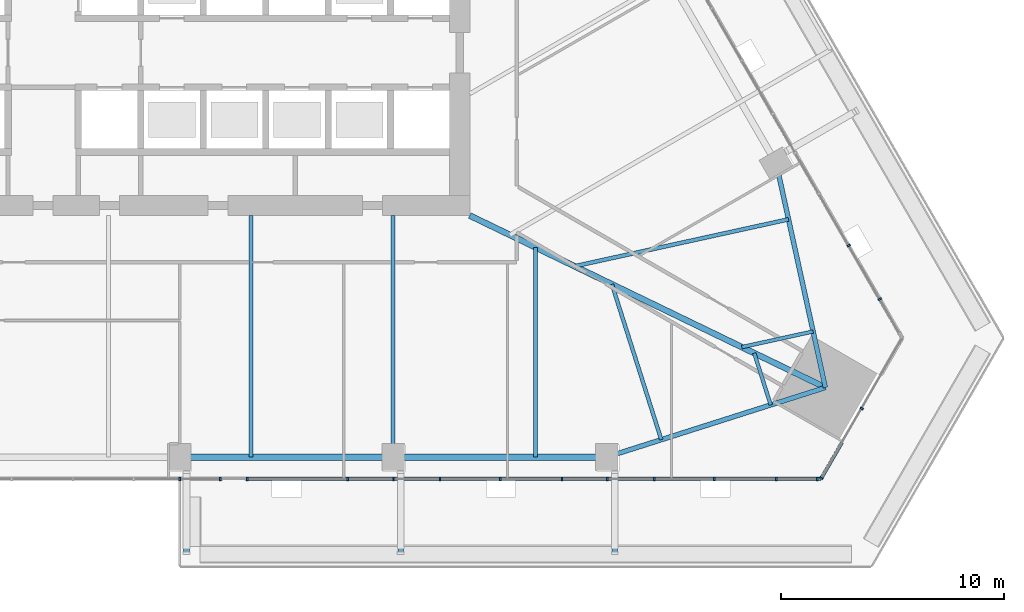
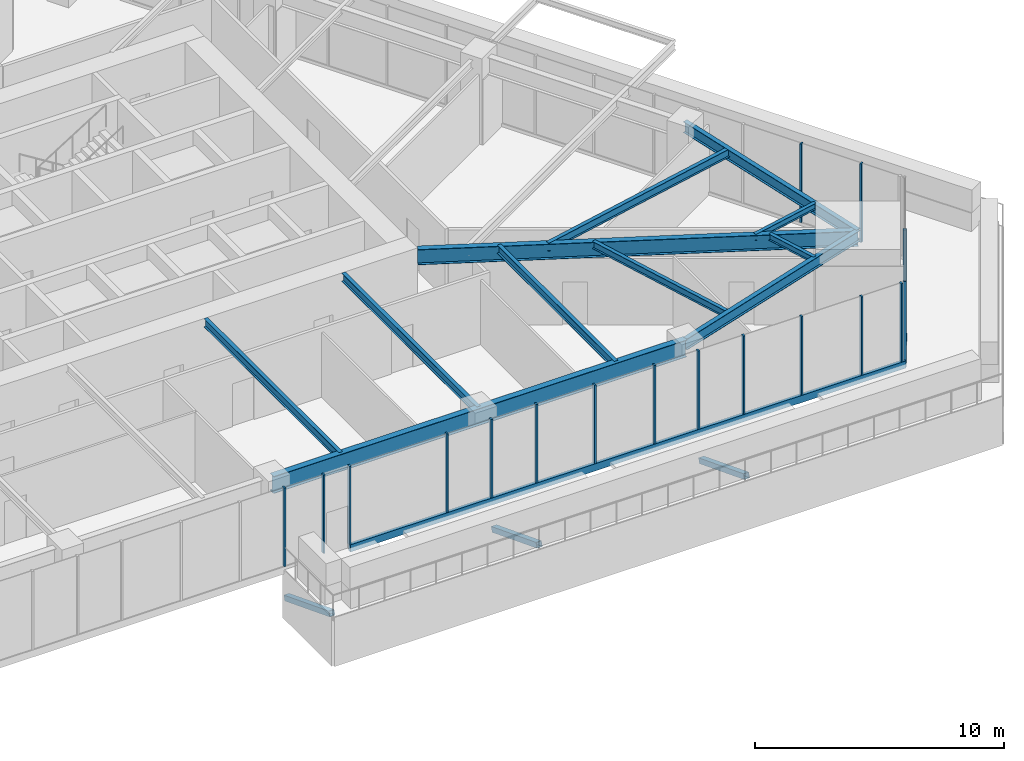
# One storey, part 4 of 29: 22 members, 11 beams, 3 elements without a shape of their own.
"""IFC4 building model written with IfcOpenShell, lengths in metres."""

from ifc_helpers import new_model, si_unit, direction, frame, origin, origin_2d, place, context, subcontext, project, spatial, rectangle, hollow_rectangle, i_section, extrude, material, layer, layer_set, material_profile, profile_set, type_object, element, aggregate, save


model = new_model("IFC4")

# Units and contexts
model_context = context("Model", 3, precision=1e-05, world=origin(), true_north=direction((0.0, 1.0)))
body_context = subcontext(model_context, "Body", "Model", "MODEL_VIEW")
ifc_project = project(units=[si_unit("LENGTHUNIT", "METRE"), si_unit("AREAUNIT", "SQUARE_METRE"), si_unit("VOLUMEUNIT", "CUBIC_METRE"), si_unit("PLANEANGLEUNIT", "RADIAN"), si_unit("MASSUNIT", "GRAM", prefix="KILO")], contexts=[model_context])

# Site, building, storey
site_placement = place(None, origin())
site = spatial("IfcSite", under=ifc_project, at=site_placement, CompositionType="ELEMENT")
building_placement = place(site_placement, origin())
building = spatial("IfcBuilding", under=site, at=building_placement, Name="Firuza Gate Tower and Library", CompositionType="ELEMENT")
storey_placement = place(building_placement, frame((0.0, 0.0, 48.39990234375)))
storey = spatial("IfcBuildingStorey", under=building, at=storey_placement, Name="L10", CompositionType="ELEMENT", Elevation=48.39990234375)

# Curtain wall, members
ifc_material_1 = material(Name="Aluminium 6063-T6", Category="aluminium")
ifc_layer_1 = layer(ifc_material_1, 0.14990234375)
ifc_layer_set_1 = layer_set([ifc_layer_1], Name="Unitised curtain wall, offices")
curtain_wall_type_1 = type_object("IfcCurtainWallType", Name="Unitised curtain wall, offices", PredefinedType="NOTDEFINED", material=ifc_layer_set_1)
placement = place(storey_placement, origin())
curtain_wall_1 = element("IfcCurtainWall", 1, at=placement, inside=storey, type_object=curtain_wall_type_1, Name="CW1 L10 S face", PredefinedType="NOTDEFINED")
ifc_material_2 = material(Name="Aluminium 6063-T6", Category="aluminium")
ifc_material_profile_1 = material_profile(ifc_material_2, rectangle(XDim=0.14990234375, YDim=0.080078125, at=origin_2d()))
ifc_profile_set_1 = profile_set([ifc_material_profile_1], Name="Aluminium 6063-T6")
member_type_1 = type_object("IfcMemberType", Name="Curtain wall mullion 80x150", PredefinedType="MULLION", material=ifc_profile_set_1)
member_1_placement = place(storey_placement, frame((75.0, 54.197265625, 0.150146484375), z_axis=(0.0, 0.0, 1.0), x_axis=(0.0, 1.0, 0.0)))
member_1 = element("IfcMember", 2, at=member_1_placement, type_object=member_type_1, Name="Mullion", PredefinedType="MULLION", context=body_context, shape_type="SweptSolid", body=[
    extrude(rectangle(XDim=0.14990234375, YDim=0.080078125, at=origin_2d()), origin(), (0.0, 0.0, 1.0), 3.849853515625),
])
member_2_placement = place(storey_placement, frame((76.820068359375, 54.197265625, 0.150146484375), z_axis=(0.0, 0.0, 1.0), x_axis=(0.0, 1.0, 0.0)))
member_2 = element("IfcMember", 3, at=member_2_placement, type_object=member_type_1, Name="Mullion", PredefinedType="MULLION", context=body_context, shape_type="SweptSolid", body=[
    extrude(rectangle(XDim=0.14990234375, YDim=0.080078125, at=origin_2d()), origin(), (0.0, 0.0, 1.0), 3.849853515625),
])
member_3_placement = place(storey_placement, frame((78.02001953125, 54.197265625, 0.150146484375), z_axis=(0.0, 0.0, 1.0), x_axis=(0.0, 1.0, 0.0)))
member_3 = element("IfcMember", 4, at=member_3_placement, type_object=member_type_1, Name="Mullion", PredefinedType="MULLION", context=body_context, shape_type="SweptSolid", body=[
    extrude(rectangle(XDim=0.14990234375, YDim=0.080078125, at=origin_2d()), origin(), (0.0, 0.0, 1.0), 3.849853515625),
])
member_4_placement = place(storey_placement, frame((84.58154296875, 54.197265625, 0.150146484375), z_axis=(0.0, 0.0, 1.0), x_axis=(0.0, 1.0, 0.0)))
member_4 = element("IfcMember", 5, at=member_4_placement, type_object=member_type_1, Name="Mullion", PredefinedType="MULLION", context=body_context, shape_type="SweptSolid", body=[
    extrude(rectangle(XDim=0.14990234375, YDim=0.080078125, at=origin_2d()), origin(), (0.0, 0.0, 1.0), 3.849853515625),
])
member_5_placement = place(storey_placement, frame((89.37255859375, 54.197265625, 0.150146484375), z_axis=(0.0, 0.0, 1.0), x_axis=(0.0, 1.0, 0.0)))
member_5 = element("IfcMember", 6, at=member_5_placement, type_object=member_type_1, Name="Mullion", PredefinedType="MULLION", context=body_context, shape_type="SweptSolid", body=[
    extrude(rectangle(XDim=0.14990234375, YDim=0.080078125, at=origin_2d()), origin(), (0.0, 0.0, 1.0), 3.849853515625),
])
member_6_placement = place(storey_placement, frame((94.163330078125, 54.197265625, 0.150146484375), z_axis=(0.0, 0.0, 1.0), x_axis=(0.0, 1.0, 0.0)))
member_6 = element("IfcMember", 7, at=member_6_placement, type_object=member_type_1, Name="Mullion", PredefinedType="MULLION", context=body_context, shape_type="SweptSolid", body=[
    extrude(rectangle(XDim=0.14990234375, YDim=0.080078125, at=origin_2d()), origin(), (0.0, 0.0, 1.0), 3.849853515625),
])
member_7_placement = place(storey_placement, frame((98.9541015625, 54.197265625, 0.150146484375), z_axis=(0.0, 0.0, 1.0), x_axis=(0.0, 1.0, 0.0)))
member_7 = element("IfcMember", 8, at=member_7_placement, type_object=member_type_1, Name="Mullion", PredefinedType="MULLION", context=body_context, shape_type="SweptSolid", body=[
    extrude(rectangle(XDim=0.14990234375, YDim=0.080078125, at=origin_2d()), origin(), (0.0, 0.0, 1.0), 3.849853515625),
])
member_8_placement = place(storey_placement, frame((82.533935546875, 54.197265625, 0.150146484375), z_axis=(0.0, 0.0, 1.0), x_axis=(0.0, 1.0, 0.0)))
member_8 = element("IfcMember", 9, at=member_8_placement, type_object=member_type_1, Name="Mullion", PredefinedType="MULLION", context=body_context, shape_type="SweptSolid", body=[
    extrude(rectangle(XDim=0.14990234375, YDim=0.080078125, at=origin_2d()), origin(), (0.0, 0.0, 1.0), 3.849853515625),
])
member_9_placement = place(storey_placement, frame((86.666259765625, 54.197265625, 0.150146484375), z_axis=(0.0, 0.0, 1.0), x_axis=(0.0, 1.0, 0.0)))
member_9 = element("IfcMember", 10, at=member_9_placement, type_object=member_type_1, Name="Mullion", PredefinedType="MULLION", context=body_context, shape_type="SweptSolid", body=[
    extrude(rectangle(XDim=0.14990234375, YDim=0.080078125, at=origin_2d()), origin(), (0.0, 0.0, 1.0), 3.849853515625),
])
member_10_placement = place(storey_placement, frame((92.1337890625, 54.197265625, 0.150146484375), z_axis=(0.0, 0.0, 1.0), x_axis=(0.0, 1.0, 0.0)))
member_10 = element("IfcMember", 11, at=member_10_placement, type_object=member_type_1, Name="Mullion", PredefinedType="MULLION", context=body_context, shape_type="SweptSolid", body=[
    extrude(rectangle(XDim=0.14990234375, YDim=0.080078125, at=origin_2d()), origin(), (0.0, 0.0, 1.0), 3.849853515625),
])
member_11_placement = place(storey_placement, frame((96.26611328125, 54.197265625, 0.150146484375), z_axis=(0.0, 0.0, 1.0), x_axis=(0.0, 1.0, 0.0)))
member_11 = element("IfcMember", 12, at=member_11_placement, type_object=member_type_1, Name="Mullion", PredefinedType="MULLION", context=body_context, shape_type="SweptSolid", body=[
    extrude(rectangle(XDim=0.14990234375, YDim=0.080078125, at=origin_2d()), origin(), (0.0, 0.0, 1.0), 3.849853515625),
])
member_12_placement = place(storey_placement, frame((101.73388671875, 54.197265625, 0.150146484375), z_axis=(0.0, 0.0, 1.0), x_axis=(0.0, 1.0, 0.0)))
member_12 = element("IfcMember", 13, at=member_12_placement, type_object=member_type_1, Name="Mullion", PredefinedType="MULLION", context=body_context, shape_type="SweptSolid", body=[
    extrude(rectangle(XDim=0.14990234375, YDim=0.080078125, at=origin_2d()), origin(), (0.0, 0.0, 1.0), 3.849853515625),
])
member_13_placement = place(storey_placement, frame((103.5771484375, 54.197265625, 0.150146484375), z_axis=(0.0, 0.0, 1.0), x_axis=(0.0, 1.0, 0.0)))
member_13 = element("IfcMember", 14, at=member_13_placement, type_object=member_type_1, Name="Mullion", PredefinedType="MULLION", context=body_context, shape_type="SweptSolid", body=[
    extrude(rectangle(XDim=0.14990234375, YDim=0.080078125, at=origin_2d()), origin(), (0.0, 0.0, 1.0), 3.849853515625),
])

ifc_material_3 = material(Name="Aluminium 6063-T6", Category="aluminium")
ifc_layer_2 = layer(ifc_material_3, 0.14990234375)
ifc_layer_set_2 = layer_set([ifc_layer_2], Name="Corner curtain wall, chamfers")
curtain_wall_type_2 = type_object("IfcCurtainWallType", Name="Corner curtain wall, chamfers", PredefinedType="NOTDEFINED", material=ifc_layer_set_2)
curtain_wall_2 = element("IfcCurtainWall", 15, at=placement, inside=storey, type_object=curtain_wall_type_2, Name="CW4 L10 SE corner", PredefinedType="NOTDEFINED")
member_14_placement = place(storey_placement, frame((103.764892578125, 54.231689453125, 0.150146484375), z_axis=(0.0, 0.0, 1.0), x_axis=(-0.866025403784, 0.5, 0.0)))
member_14 = element("IfcMember", 16, at=member_14_placement, type_object=member_type_1, Name="Mullion", PredefinedType="MULLION", context=body_context, shape_type="SweptSolid", body=[
    extrude(rectangle(XDim=0.14990234375, YDim=0.080078125, at=origin_2d()), origin(), (0.0, 0.0, 1.0), 3.849853515625),
])
member_15_placement = place(storey_placement, frame((105.566650390625, 57.352294921875, 0.150146484375), z_axis=(0.0, 0.0, 1.0), x_axis=(-0.866025403784, 0.5, 0.0)))
member_15 = element("IfcMember", 17, at=member_15_placement, type_object=member_type_1, Name="Mullion", PredefinedType="MULLION", context=body_context, shape_type="SweptSolid", body=[
    extrude(rectangle(XDim=0.14990234375, YDim=0.080078125, at=origin_2d()), origin(), (0.0, 0.0, 1.0), 3.849853515625),
])

curtain_wall_3 = element("IfcCurtainWall", 18, at=placement, inside=storey, type_object=curtain_wall_type_1, Name="CW1 L10 E face", PredefinedType="NOTDEFINED")
member_16_placement = place(storey_placement, frame((104.992919921875, 64.656494140625, 0.150146484375), z_axis=(0.0, 0.0, 1.0), x_axis=(-0.866025403784, -0.5, 0.0)))
member_16 = element("IfcMember", 19, at=member_16_placement, type_object=member_type_1, Name="Mullion", PredefinedType="MULLION", context=body_context, shape_type="SweptSolid", body=[
    extrude(rectangle(XDim=0.14990234375, YDim=0.080078125, at=origin_2d()), origin(), (0.0, 0.0, 1.0), 3.849853515625),
])
member_17_placement = place(storey_placement, frame((106.3828125, 62.249267578125, 0.150146484375), z_axis=(0.0, 0.0, 1.0), x_axis=(-0.866025403784, -0.5, 0.0)))
member_17 = element("IfcMember", 20, at=member_17_placement, type_object=member_type_1, Name="Mullion", PredefinedType="MULLION", context=body_context, shape_type="SweptSolid", body=[
    extrude(rectangle(XDim=0.14990234375, YDim=0.080078125, at=origin_2d()), origin(), (0.0, 0.0, 1.0), 3.849853515625),
])
aggregate(curtain_wall_3, [member_16, member_17])

# Member
ifc_material_4 = material(Name="Aluminium 6063-T6", Category="aluminium")
ifc_material_profile_2 = material_profile(ifc_material_4, rectangle(XDim=0.14990234375, YDim=0.35009765625, at=origin_2d()))
ifc_profile_set_2 = profile_set([ifc_material_profile_2], Name="Aluminium 6063-T6")
member_type_2 = type_object("IfcMemberType", Name="Curtain wall transom 350x150", PredefinedType="USERDEFINED", material=ifc_profile_set_2)
member_18_placement = place(storey_placement, frame((78.02001953125, 54.197265625, -0.02490234375), z_axis=(1.0, 0.0, 0.0), x_axis=(0.0, 1.0, 0.0)))
member_18 = element("IfcMember", 21, at=member_18_placement, type_object=member_type_2, Name="Transom", ObjectType="TRANSOM", PredefinedType="USERDEFINED", context=body_context, shape_type="SweptSolid", body=[
    extrude(rectangle(XDim=0.14990234375, YDim=0.35009765625, at=origin_2d()), origin(), (0.0, 0.0, 1.0), 25.724853515625),
])

aggregate(curtain_wall_1, [member_1, member_2, member_3, member_4, member_5, member_6, member_7, member_18, member_8, member_9, member_10, member_11, member_12, member_13])

member_19_placement = place(storey_placement, frame((103.744873046875, 54.197265625, -0.02490234375), z_axis=(0.50013570633, 0.86594703952, 0.0), x_axis=(-0.86594703952, 0.50013570633, 0.0)))
member_19 = element("IfcMember", 22, at=member_19_placement, type_object=member_type_2, Name="Transom", ObjectType="TRANSOM", PredefinedType="USERDEFINED", context=body_context, shape_type="SweptSolid", body=[
    extrude(rectangle(XDim=0.14990234375, YDim=0.35009765625, at=origin_2d()), origin(), (0.0, 0.0, 1.0), 1.89208984375),
])

aggregate(curtain_wall_2, [member_14, member_15, member_19])

# Members
ifc_material_5 = material(Name="Steel S355", Category="steel")
ifc_material_profile_3 = material_profile(ifc_material_5, hollow_rectangle(XDim=0.25390625, YDim=0.25390625, WallThickness=0.01171875, at=origin_2d()))
ifc_profile_set_3 = profile_set([ifc_material_profile_3], Name="Steel S355")
member_type_3 = type_object("IfcMemberType", Name="HSS254x254x13 Tray strut", PredefinedType="BRACE", material=ifc_profile_set_3)
for number, where, z_axis, x_axis, name in (
    (23, (75.300048828125, 54.48046875, -1.669921875), (0.0, -0.932016532514, 0.362415760032), (1.0, 0.0, 0.0), "Tray strut L10 col:L09:S3"),
    (24, (84.89990234375, 54.48046875, -1.669921875), (0.0, -0.932016532514, 0.362415760032), (1.0, 0.0, 0.0), "Tray strut L10 col:L09:S4"),
    (25, (94.5, 54.48046875, -1.669921875), (0.0, -0.932016532514, 0.362415760032), (1.0, 0.0, 0.0), "Tray strut L10 col:L09:S5"),
):
    element("IfcMember", number, at=place(storey_placement, frame(where, z_axis=z_axis, x_axis=x_axis)), inside=storey, type_object=member_type_3, Name=name, PredefinedType="BRACE", context=body_context, shape_type="SweptSolid", body=[
        extrude(hollow_rectangle(XDim=0.25390625, YDim=0.25390625, WallThickness=0.01171875, at=origin_2d()), origin(), (0.0, 0.0, 1.0), 3.86279296875),
    ])

# Beams
ifc_material_6 = material(Name="Steel S355", Category="steel")
ifc_material_profile_4 = material_profile(ifc_material_6, i_section(OverallWidth=0.1650390625, OverallDepth=0.31005859375, WebThickness=0.005859375, FlangeThickness=0.009765625, at=origin_2d()))
ifc_profile_set_4 = profile_set([ifc_material_profile_4], Name="Steel S355")
beam_type_1 = type_object("IfcBeamType", Name="W310x39 Floor beam", PredefinedType="JOIST", material=ifc_profile_set_4)
beam_1_placement = place(storey_placement, frame((101.49072265625, 57.510498046875, 3.84521484375), z_axis=(-0.302881069843, 0.953028361346, 0.0), x_axis=(-0.953028361346, -0.302881069843, 0.0)))
element("IfcBeam", 26, at=beam_1_placement, inside=storey, type_object=beam_type_1, Name="Floor beam L10 s31", PredefinedType="JOIST", context=body_context, shape_type="SweptSolid", body=[
    extrude(i_section(OverallWidth=0.1650390625, OverallDepth=0.31005859375, WebThickness=0.005859375, FlangeThickness=0.009765625, at=origin_2d()), origin(), (0.0, 0.0, 1.0), 2.436767578125),
])
beam_2_placement = place(storey_placement, frame((103.391845703125, 60.80322265625, 3.84521484375), z_axis=(-0.976795755161, -0.21417295044, 0.0), x_axis=(0.21417295044, -0.976795755161, 0.0)))
element("IfcBeam", 27, at=beam_2_placement, inside=storey, type_object=beam_type_1, Name="Floor beam L10 s40", PredefinedType="JOIST", context=body_context, shape_type="SweptSolid", body=[
    extrude(i_section(OverallWidth=0.1650390625, OverallDepth=0.31005859375, WebThickness=0.005859375, FlangeThickness=0.009765625, at=origin_2d()), origin(), (0.0, 0.0, 1.0), 3.272705078125),
])
ifc_material_7 = material(Name="Steel S355", Category="steel")
ifc_material_profile_5 = material_profile(ifc_material_7, i_section(OverallWidth=0.1708984375, OverallDepth=0.35498046875, WebThickness=0.007080078125, FlangeThickness=0.01171875, at=origin_2d()))
ifc_profile_set_5 = profile_set([ifc_material_profile_5], Name="Steel S355")
beam_type_2 = type_object("IfcBeamType", Name="W360x51 Floor beam", PredefinedType="JOIST", material=ifc_profile_set_5)
beam_3_placement = place(storey_placement, frame((96.586669921875, 55.95166015625, 3.822509765625), z_axis=(-0.302941735261, 0.9530090792, 0.0), x_axis=(-0.9530090792, -0.302941735261, 0.0)))
element("IfcBeam", 28, at=beam_3_placement, inside=storey, type_object=beam_type_2, Name="Floor beam L10 s30", PredefinedType="JOIST", context=body_context, shape_type="SweptSolid", body=[
    extrude(i_section(OverallWidth=0.1708984375, OverallDepth=0.35498046875, WebThickness=0.007080078125, FlangeThickness=0.01171875, at=origin_2d()), origin(), (0.0, 0.0, 1.0), 7.310302734375),
])
ifc_material_8 = material(Name="Steel S355", Category="steel")
ifc_material_profile_6 = material_profile(ifc_material_8, i_section(OverallWidth=0.177978515625, OverallDepth=0.406982421875, WebThickness=0.0078125, FlangeThickness=0.0126953125, at=origin_2d()))
ifc_profile_set_6 = profile_set([ifc_material_profile_6], Name="Steel S355")
beam_type_3 = type_object("IfcBeamType", Name="W410x60 Floor beam", PredefinedType="JOIST", material=ifc_profile_set_6)
for number, where, z_axis, x_axis, name in (
    (29, (78.18896484375, 55.172119140625, 3.796630859375), (0.0, 1.0, 0.0), (-1.0, 0.0, 0.0), "Floor beam L10 s23"),
    (30, (84.567138671875, 55.172119140625, 3.796630859375), (0.0, 1.0, 0.0), (-1.0, 0.0, 0.0), "Floor beam L10 s24"),
):
    element("IfcBeam", number, at=place(storey_placement, frame(where, z_axis=z_axis, x_axis=x_axis)), inside=storey, type_object=beam_type_3, Name=name, PredefinedType="JOIST", context=body_context, shape_type="SweptSolid", body=[
        extrude(i_section(OverallWidth=0.177978515625, OverallDepth=0.406982421875, WebThickness=0.0078125, FlangeThickness=0.0126953125, at=origin_2d()), origin(), (0.0, 0.0, 1.0), 10.827880859375),
    ])
beam_4_placement = place(storey_placement, frame((90.9453125, 55.172119140625, 3.796630859375), z_axis=(0.0, 1.0, 0.0), x_axis=(-1.0, 0.0, 0.0)))
element("IfcBeam", 31, at=beam_4_placement, inside=storey, type_object=beam_type_3, Name="Floor beam L10 s25", PredefinedType="JOIST", context=body_context, shape_type="SweptSolid", body=[
    extrude(i_section(OverallWidth=0.177978515625, OverallDepth=0.406982421875, WebThickness=0.0078125, FlangeThickness=0.0126953125, at=origin_2d()), origin(), (0.0, 0.0, 1.0), 9.403564453125),
])
beam_5_placement = place(storey_placement, frame((102.289794921875, 65.82958984375, 3.796630859375), z_axis=(-0.976798676094, -0.214159628272, 0.0), x_axis=(0.214159628272, -0.976798676094, 0.0)))
element("IfcBeam", 32, at=beam_5_placement, inside=storey, type_object=beam_type_3, Name="Floor beam L10 s41", PredefinedType="JOIST", context=body_context, shape_type="SweptSolid", body=[
    extrude(i_section(OverallWidth=0.177978515625, OverallDepth=0.406982421875, WebThickness=0.0078125, FlangeThickness=0.0126953125, at=origin_2d()), origin(), (0.0, 0.0, 1.0), 9.817626953125),
])
ifc_material_9 = material(Name="Steel S355", Category="steel")
ifc_material_profile_7 = material_profile(ifc_material_9, i_section(OverallWidth=0.212890625, OverallDepth=0.5390625, WebThickness=0.01171875, FlangeThickness=0.018798828125, at=origin_2d()))
ifc_profile_set_7 = profile_set([ifc_material_profile_7], Name="Steel S355")
beam_type_4 = type_object("IfcBeamType", Name="W530x109 Edge beam", PredefinedType="SPANDREL", material=ifc_profile_set_7)
for number, where, z_axis, x_axis, name in (
    (33, (94.134521484375, 55.172119140625, 3.730712890625), (0.953014528188, 0.30292459303, 0.0), (-0.30292459303, 0.953014528188, 0.0), "Edge beam L10 e30"),
    (34, (103.94287109375, 58.289794921875, 3.730712890625), (-0.214156691919, 0.976799319874, 0.0), (-0.976799319874, -0.214156691919, 0.0), "Edge beam L10 e40"),
):
    element("IfcBeam", number, at=place(storey_placement, frame(where, z_axis=z_axis, x_axis=x_axis)), inside=storey, type_object=beam_type_4, Name=name, PredefinedType="SPANDREL", context=body_context, shape_type="SweptSolid", body=[
        extrude(i_section(OverallWidth=0.212890625, OverallDepth=0.5390625, WebThickness=0.01171875, FlangeThickness=0.018798828125, at=origin_2d()), origin(), (0.0, 0.0, 1.0), 10.2919921875),
    ])
ifc_material_10 = material(Name="Steel S355", Category="steel")
ifc_material_profile_8 = material_profile(ifc_material_10, i_section(OverallWidth=0.264892578125, OverallDepth=0.7529296875, WebThickness=0.01318359375, FlangeThickness=0.01708984375, at=origin_2d()))
ifc_profile_set_8 = profile_set([ifc_material_profile_8], Name="Steel S355")
beam_type_5 = type_object("IfcBeamType", Name="W760x147 Girder", PredefinedType="BEAM", material=ifc_profile_set_8)
beam_6_placement = place(storey_placement, frame((103.94287109375, 58.289794921875, 3.62353515625), z_axis=(-0.900249724041, 0.435373901794, 0.0), x_axis=(-0.435373901794, -0.900249724041, 0.0)))
element("IfcBeam", 35, at=beam_6_placement, inside=storey, type_object=beam_type_5, Name="Girder L10 gSE", PredefinedType="BEAM", context=body_context, shape_type="SweptSolid", body=[
    extrude(i_section(OverallWidth=0.264892578125, OverallDepth=0.7529296875, WebThickness=0.01318359375, FlangeThickness=0.01708984375, at=origin_2d()), origin(), (0.0, 0.0, 1.0), 17.70947265625),
])
ifc_material_11 = material(Name="Steel S355", Category="steel")
ifc_material_profile_9 = material_profile(ifc_material_11, i_section(OverallWidth=0.2919921875, OverallDepth=0.8349609375, WebThickness=0.013916015625, FlangeThickness=0.018798828125, at=origin_2d()))
ifc_profile_set_9 = profile_set([ifc_material_profile_9], Name="Steel S355")
beam_type_6 = type_object("IfcBeamType", Name="W840x176 Edge beam", PredefinedType="SPANDREL", material=ifc_profile_set_9)
beam_7_placement = place(storey_placement, frame((75.0, 55.172119140625, 3.58251953125), z_axis=(1.0, 0.0, 0.0), x_axis=(0.0, 1.0, 0.0)))
element("IfcBeam", 36, at=beam_7_placement, inside=storey, type_object=beam_type_6, Name="Edge beam L10 e22", PredefinedType="SPANDREL", context=body_context, shape_type="SweptSolid", body=[
    extrude(i_section(OverallWidth=0.2919921875, OverallDepth=0.8349609375, WebThickness=0.013916015625, FlangeThickness=0.018798828125, at=origin_2d()), origin(), (0.0, 0.0, 1.0), 19.134521484375),
])

save(model, "model.ifc")
